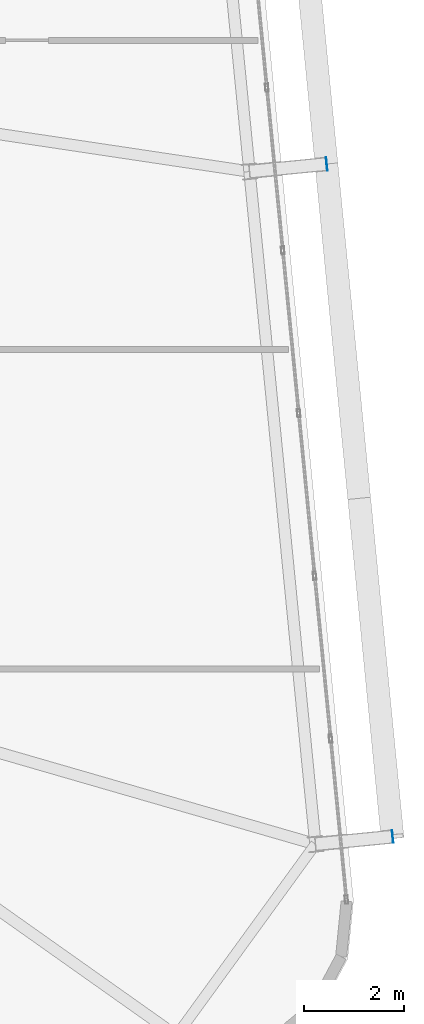
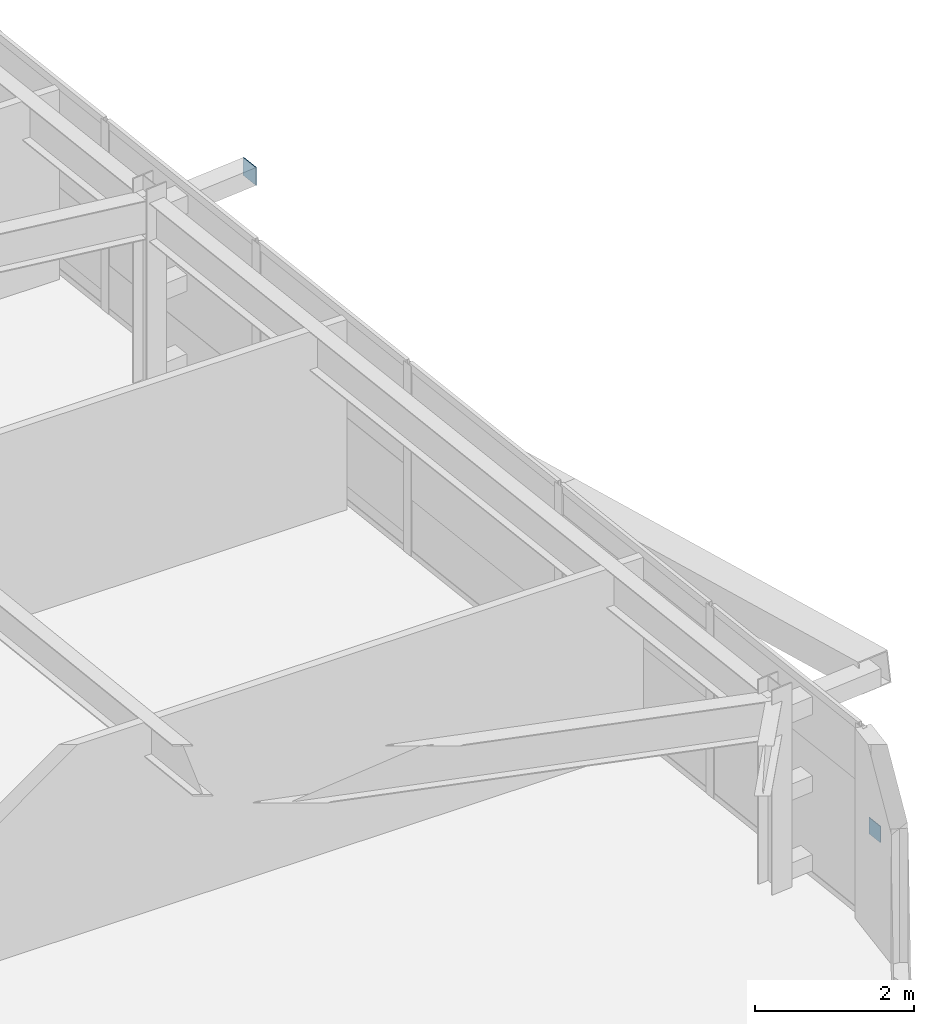
# One storey, part 42 of 52: 2 plates.
"""IFC4 building model written with IfcOpenShell, lengths in metres."""

import ifcopenshell
import ifcopenshell.guid

model = None  # the IFC model being written
_history = None  # IfcOwnerHistory: only IFC2X3 demands one
_inside = {}  # id of a spatial element -> (the spatial element, [elements in it])
_under = {}  # id of a project, library or spatial element -> (it, [spatial elements below it])
_declared = {}  # id of a project -> (the project, [libraries it declares])
_typed = {}  # id of a type object -> (the type object, [elements of that type])
_made_of = {}  # id of a material, layer set ... -> (it, [elements and type objects made of it])


def new_model(schema):
    """Start an empty IFC model of exactly this schema.

    Asked for "IFC4X3", IfcOpenShell would pick the latest addendum, in which some entities
    have other attributes; the version numbers below select the first issue.
    IFC2X3 requires an IfcOwnerHistory on every rooted entity: one is made here for all.
    """
    global model, _history
    if schema == "IFC4X3":
        model = ifcopenshell.file(schema_version=(4, 3, 0, 0))
    else:
        model = ifcopenshell.file(schema=schema)
    _inside.clear()
    _under.clear()
    _declared.clear()
    _typed.clear()
    _made_of.clear()
    _history = None
    if model.schema == "IFC2X3":
        org = make("IfcOrganization", Name="unknown")
        user = make(
            "IfcPersonAndOrganization",
            ThePerson=make("IfcPerson", FamilyName="unknown"),
            TheOrganization=org,
        )
        app = make(
            "IfcApplication",
            ApplicationDeveloper=org,
            Version="unknown",
            ApplicationFullName="unknown",
            ApplicationIdentifier="unknown",
        )
        _history = make(
            "IfcOwnerHistory",
            OwningUser=user,
            OwningApplication=app,
            ChangeAction="ADDED",
            CreationDate=0,
        )
    return model


def make(cls, **values):
    """One entity of the class cls with the attributes given. An attribute that is None is left unset."""
    return model.create_entity(
        cls, **{name: value for name, value in values.items() if value is not None}
    )


def rooted(cls, **values):
    """An entity with a GlobalId (a new one), such as an element, a storey or a relation."""
    return make(cls, GlobalId=ifcopenshell.guid.new(), OwnerHistory=_history, **values)


def si_unit(unit_type, name, prefix=None):
    """IfcSIUnit, for example si_unit("LENGTHUNIT", "METRE", prefix="MILLI")."""
    return make("IfcSIUnit", UnitType=unit_type, Prefix=prefix, Name=name)


def assignment(units):
    """IfcUnitAssignment: the units of a project."""
    return None if units is None else make("IfcUnitAssignment", Units=units)


def point(xyz):
    """IfcCartesianPoint."""
    return None if xyz is None else make("IfcCartesianPoint", Coordinates=xyz)


def direction(xyz):
    """IfcDirection."""
    return None if xyz is None else make("IfcDirection", DirectionRatios=xyz)


def frame(location, z_axis=None, x_axis=None):
    """IfcAxis2Placement3D, a coordinate frame: its origin and axes. An axis left out is left unset."""
    return make(
        "IfcAxis2Placement3D",
        Location=point(location),
        Axis=direction(z_axis),
        RefDirection=direction(x_axis),
    )


def frame_2d(location, x_axis=None):
    """IfcAxis2Placement2D, a coordinate frame in the plane: its origin and x axis."""
    return make(
        "IfcAxis2Placement2D", Location=point(location), RefDirection=direction(x_axis)
    )


def origin():
    """The frame at (0, 0, 0) with its axes left unset."""
    return frame((0.0, 0.0, 0.0))


def origin_2d():
    """The frame at (0, 0) in the plane with its x axis left unset."""
    return frame_2d((0.0, 0.0))


def place(relative_to, where):
    """IfcLocalPlacement: puts the frame where relative to a parent placement (None: the world)."""
    return make(
        "IfcLocalPlacement", PlacementRelTo=relative_to, RelativePlacement=where
    )


def context(
    kind, dimensions, precision=None, world=None, true_north=None, identifier=None
):
    """IfcGeometricRepresentationContext, for example the 3D "Model" context."""
    return make(
        "IfcGeometricRepresentationContext",
        ContextIdentifier=identifier,
        ContextType=kind,
        CoordinateSpaceDimension=dimensions,
        Precision=precision,
        WorldCoordinateSystem=world,
        TrueNorth=true_north,
    )


def subcontext(parent, identifier, kind, view, scale=None):
    """IfcGeometricRepresentationSubContext, for example "Body" below "Model"."""
    return make(
        "IfcGeometricRepresentationSubContext",
        ContextIdentifier=identifier,
        ContextType=kind,
        ParentContext=parent,
        TargetScale=scale,
        TargetView=view,
    )


def project(units=None, contexts=None):
    """IfcProject with its units and contexts."""
    return rooted(
        "IfcProject",
        Name="project",
        RepresentationContexts=contexts,
        UnitsInContext=assignment(units),
    )


def spatial(cls, under=None, at=None, **own):
    """A site, building, storey or space (cls), placed at a placement, below another one or the project."""
    s = rooted(cls, ObjectPlacement=at, **own)
    if under is not None:
        _under.setdefault(under.id(), (under, []))[1].append(s)
    return s


def profile(cls, at=None, kind="AREA", **sizes):
    """A parametric profile (cls). Its sizes go by their IFC names, for example OverallWidth=200.0."""
    return make(cls, ProfileType=kind, Position=at, **sizes)


def rectangle(**sizes):
    """IfcRectangleProfileDef."""
    return profile("IfcRectangleProfileDef", **sizes)


def extrude(swept, where, along, depth):
    """IfcExtrudedAreaSolid: the profile swept, set in the frame where, extruded along a direction by depth."""
    return make(
        "IfcExtrudedAreaSolid",
        SweptArea=swept,
        Position=where,
        ExtrudedDirection=direction(along),
        Depth=depth,
    )


def shape(context_of_items, identifier, shape_type, items):
    """IfcShapeRepresentation: the items that make up one representation, for example the "Body"."""
    return make(
        "IfcShapeRepresentation",
        ContextOfItems=context_of_items,
        RepresentationIdentifier=identifier,
        RepresentationType=shape_type,
        Items=items,
    )


def source(mapping_origin, context_of_items, identifier, shape_type, items):
    """IfcRepresentationMap: a shape defined once, which mapped items show again and again."""
    return make(
        "IfcRepresentationMap",
        MappingOrigin=mapping_origin,
        MappedRepresentation=shape(context_of_items, identifier, shape_type, items),
    )


def transform(
    local_origin,
    x_axis=None,
    y_axis=None,
    z_axis=None,
    scale=None,
    scale2=None,
    scale3=None,
    uniform=True,
):
    """IfcCartesianTransformationOperator3D, or its non-uniform kind. x_axis, y_axis, z_axis: its Axis1, 2, 3."""
    if uniform:
        return make(
            "IfcCartesianTransformationOperator3D",
            Axis1=direction(x_axis),
            Axis2=direction(y_axis),
            LocalOrigin=point(local_origin),
            Scale=scale,
            Axis3=direction(z_axis),
        )
    return make(
        "IfcCartesianTransformationOperator3DnonUniform",
        Axis1=direction(x_axis),
        Axis2=direction(y_axis),
        LocalOrigin=point(local_origin),
        Scale=scale,
        Axis3=direction(z_axis),
        Scale2=scale2,
        Scale3=scale3,
    )


def mapped(mapping_source, mapping_target):
    """IfcMappedItem: shows the shape of a source again, moved by a transform."""
    return make(
        "IfcMappedItem", MappingSource=mapping_source, MappingTarget=mapping_target
    )


def material(Name=None, Category=None):
    """IfcMaterial."""
    return make("IfcMaterial", Name=Name, Category=Category)


def layer(
    of_material, thickness, ventilated=None, Name=None, Category=None, Priority=None
):
    """IfcMaterialLayer: one layer of a wall or slab, of a material (None: an air gap)."""
    return make(
        "IfcMaterialLayer",
        Material=of_material,
        LayerThickness=thickness,
        IsVentilated=ventilated,
        Name=Name,
        Category=Category,
        Priority=Priority,
    )


def layer_set(layers, Name=None):
    """IfcMaterialLayerSet."""
    return make("IfcMaterialLayerSet", MaterialLayers=layers, LayerSetName=Name)


def made_of(thing, what):
    """Note that an element or type object is made of a material, layer set ...; save() writes the relation."""
    if what is not None:
        _made_of.setdefault(what.id(), (what, []))[1].append(thing)
    return thing


def type_object(cls, material=None, **own):
    """A type object (cls), such as IfcWallType, which elements share."""
    return made_of(rooted(cls, **own), material)


def element(
    cls,
    number,
    at=None,
    inside=None,
    cuts=None,
    type_object=None,
    material=None,
    context=None,
    identifier="Body",
    shape_type=None,
    held_by="IfcProductDefinitionShape",
    body=None,
    shapes=None,
    **own,
):
    """One element of the class cls, such as IfcWall. Its Tag is "e" and its number.

    at: its placement. inside: the storey or other place that contains it. cuts: it is an
    opening in that element (IfcRelVoidsElement). A single representation is given by context,
    identifier, shape_type and body (its items); several are given by shapes. held_by: the class
    of the entity that holds the representations. save() writes the other relations.
    """
    e = rooted(cls, Tag="e%d" % number, ObjectPlacement=at, **own)
    if body is not None:
        shapes = [shape(context, identifier, shape_type, body)]
    if shapes is not None:
        e.Representation = make(held_by, Representations=shapes)
    if inside is not None:
        _inside.setdefault(inside.id(), (inside, []))[1].append(e)
    if cuts is not None:
        rooted(
            "IfcRelVoidsElement", RelatingBuildingElement=cuts, RelatedOpeningElement=e
        )
    if type_object is not None:
        _typed.setdefault(type_object.id(), (type_object, []))[1].append(e)
    return made_of(e, material)


def aggregate(whole, parts):
    """IfcRelAggregates: a whole, such as a stair, and the parts it consists of."""
    return rooted("IfcRelAggregates", RelatingObject=whole, RelatedObjects=parts)


def save(model, path):
    """Write the relations noted so far, then the file.

    IfcRelAggregates (storeys below a building ...), IfcRelContainedInSpatialStructure (elements
    in a storey), IfcRelDefinesByType, IfcRelAssociatesMaterial and IfcRelDeclares: one each for
    every whole, place, type object, material and project.
    """
    for whole, parts in _under.values():
        aggregate(whole, parts)
    for where, things in _inside.values():
        rooted(
            "IfcRelContainedInSpatialStructure",
            RelatedElements=things,
            RelatingStructure=where,
        )
    for kind, things in _typed.values():
        rooted("IfcRelDefinesByType", RelatedObjects=things, RelatingType=kind)
    for what, things in _made_of.values():
        rooted("IfcRelAssociatesMaterial", RelatedObjects=things, RelatingMaterial=what)
    for by, libraries in _declared.values():
        rooted("IfcRelDeclares", RelatingContext=by, RelatedDefinitions=libraries)
    model.write(path)


model = new_model("IFC4")

# Units and contexts
model_context = context("Model", 3, precision=1e-05, world=origin(), true_north=direction((0.0, 1.0)))
body_context = subcontext(model_context, "Body", "Model", "MODEL_VIEW")
ifc_project = project(units=[si_unit("LENGTHUNIT", "METRE"), si_unit("AREAUNIT", "SQUARE_METRE"), si_unit("VOLUMEUNIT", "CUBIC_METRE"), si_unit("PLANEANGLEUNIT", "RADIAN"), si_unit("MASSUNIT", "GRAM", prefix="KILO")], contexts=[model_context])

# Site, building, storey
site_placement = place(None, origin())
site = spatial("IfcSite", under=ifc_project, at=site_placement, CompositionType="ELEMENT")
building_placement = place(site_placement, origin())
building = spatial("IfcBuilding", under=site, at=building_placement, Name="Taldren Reach Tower", CompositionType="ELEMENT")
storey_placement = place(building_placement, frame((0.0, 0.0, 77.699951171875)))
storey = spatial("IfcBuildingStorey", under=building, at=storey_placement, Name="L23", CompositionType="ELEMENT", Elevation=77.699951171875)

# Plates
ifc_material_1 = material(Name="Steel Gr 450 (C450L0)", Category="steel")
ifc_layer_1 = layer(ifc_material_1, 0.011962890625)
ifc_layer_set_1 = layer_set([ifc_layer_1], Name="Steel Gr 450 (C450L0)")
plate_type_1 = type_object("IfcPlateType", Name="PL-CAP-275", PredefinedType="SHEET", material=ifc_layer_set_1)
shared_shape_1 = source(origin(), body_context, "Body", "SweptSolid", [
    extrude(rectangle(XDim=0.011962890625, YDim=0.27490234375, at=origin_2d()), origin(), (0.0, 0.0, 1.0), 0.27490234375),
])
plate_1_placement = place(storey_placement, frame((66.1181640625, 22.120849609375, 2.5126953125), z_axis=(0.0, 0.0, 1.0), x_axis=(0.995227399982, 0.097582899759, 0.0)))
element("IfcPlate", 1, at=plate_1_placement, inside=storey, type_object=plate_type_1, Name="Tie strut end cap plate B2-E2 L23", PredefinedType="SHEET", context=body_context, shape_type="MappedRepresentation", body=[
    mapped(shared_shape_1, transform((0.0, 0.0, 0.0), scale=1.0)),
])
ifc_material_2 = material(Name="Steel Gr 350 (C350L0)", Category="steel")
ifc_layer_2 = layer(ifc_material_2, 0.011962890625)
ifc_layer_set_2 = layer_set([ifc_layer_2], Name="Steel Gr 350 (C350L0)")
plate_type_2 = type_object("IfcPlateType", Name="PL-CAP-250", PredefinedType="SHEET", material=ifc_layer_set_2)
shared_shape_2 = source(origin(), body_context, "Body", "SweptSolid", [
    extrude(rectangle(XDim=0.011962890625, YDim=0.25, at=origin_2d()), origin(), (0.0, 0.0, 1.0), 0.25),
])
plate_2_placement = place(storey_placement, frame((67.440185546875, 8.635498046875, 0.094970703125), z_axis=(0.0, 0.0, 1.0), x_axis=(0.995227399982, 0.097582899759, 0.0)))
element("IfcPlate", 2, at=plate_2_placement, inside=storey, type_object=plate_type_2, Name="Tie strut end cap plate B2-E1 L23", PredefinedType="SHEET", context=body_context, shape_type="MappedRepresentation", body=[
    mapped(shared_shape_2, transform((0.0, 0.0, 0.0), scale=1.0)),
])

save(model, "model.ifc")
